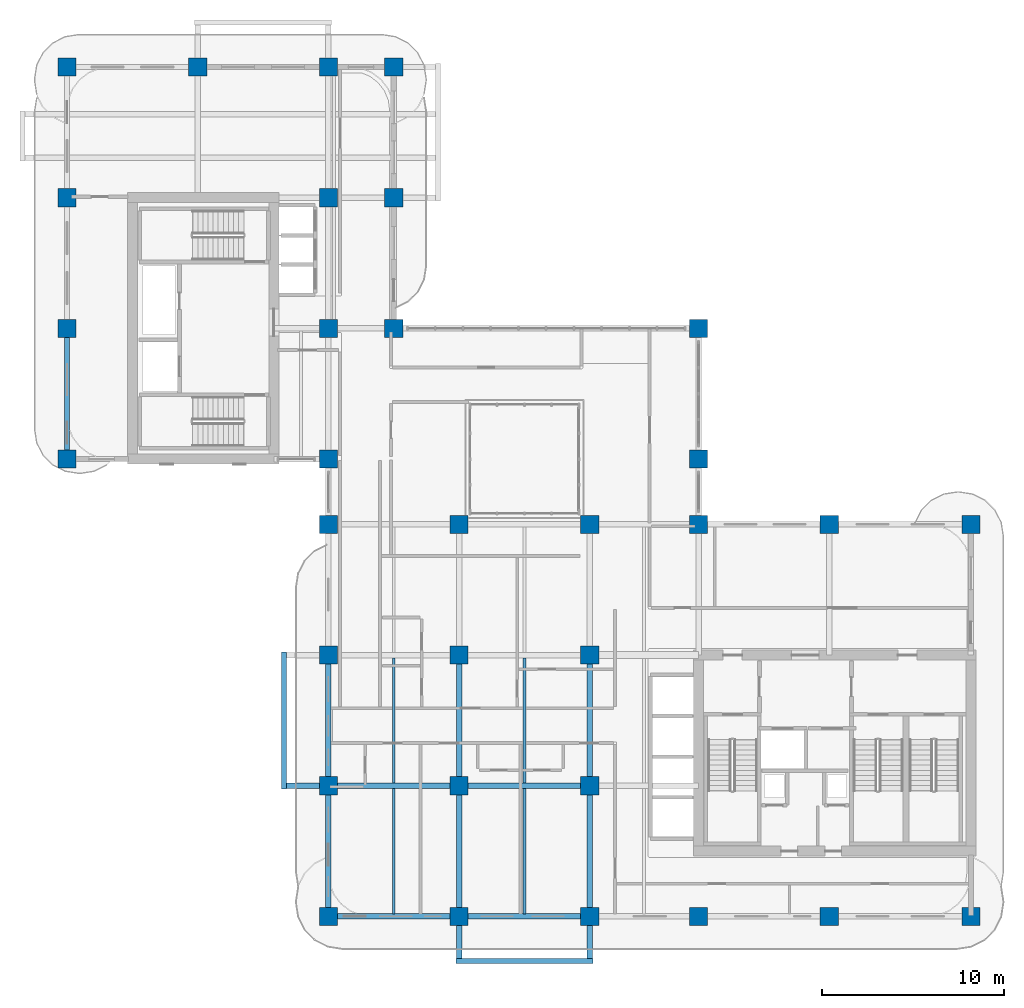
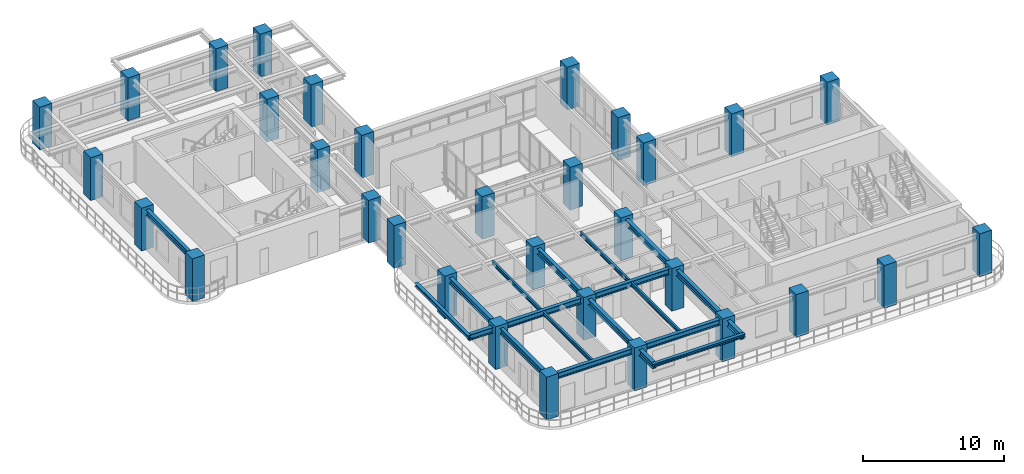
# One storey, part 1 of 19: 32 columns, 17 beams.
"""IFC4 building model written with IfcOpenShell, lengths in metres."""

from ifc_helpers import new_model, si_unit, derived_unit, direction, frame, origin, origin_2d, place, context, subcontext, project, spatial, rectangle, i_section, extrude, source, transform, mapped, material, material_profile, profile_set, type_object, type_shapes, element, save


model = new_model("IFC4")

# Units and contexts
model_context = context("Model", 3, precision=1e-05, world=origin(), true_north=direction((0.0, 1.0)))
body_context = subcontext(model_context, "Body", "Model", "MODEL_VIEW")
ifc_project = project(units=[si_unit("LENGTHUNIT", "METRE"), si_unit("AREAUNIT", "SQUARE_METRE"), si_unit("VOLUMEUNIT", "CUBIC_METRE"), si_unit("PLANEANGLEUNIT", "RADIAN"), si_unit("MASSUNIT", "GRAM", prefix="KILO"), si_unit("THERMODYNAMICTEMPERATUREUNIT", "KELVIN"), si_unit("POWERUNIT", "WATT"), derived_unit("THERMALTRANSMITTANCEUNIT", [(si_unit("POWERUNIT", "WATT"), 1), (si_unit("AREAUNIT", "SQUARE_METRE"), -1), (si_unit("THERMODYNAMICTEMPERATUREUNIT", "KELVIN"), -1)])], contexts=[model_context])

# Site, building, storey
site_placement = place(None, origin())
site = spatial("IfcSite", under=ifc_project, at=site_placement, CompositionType="ELEMENT")
building_placement = place(site_placement, origin())
building = spatial("IfcBuilding", under=site, at=building_placement, Name="Zahravan Archway Hotel and Residences", CompositionType="ELEMENT")
storey_placement = place(building_placement, frame((0.0, 0.0, 134.0)))
storey = spatial("IfcBuildingStorey", under=building, at=storey_placement, Name="L33", CompositionType="ELEMENT", Elevation=134.0)

# Columns
ifc_material_1 = material(Name="Concrete C60/75", Category="concrete")
ifc_material_profile_1 = material_profile(ifc_material_1, rectangle(XDim=1.0, YDim=1.0, at=origin_2d()), Name="RC-COL-1000x1000", Category="concrete")
ifc_profile_set_1 = profile_set([ifc_material_profile_1], Name="Concrete C60/75")
column_type = type_object("IfcColumnType", Name="COL-RC-1000", PredefinedType="COLUMN", material=ifc_profile_set_1)
shared_shape_1 = source(origin(), body_context, "Body", "SweptSolid", [
    extrude(rectangle(XDim=1.0, YDim=1.0, at=origin_2d()), origin(), (0.0, 0.0, 1.0), 3.699951171875),
])
type_shapes(column_type, [shared_shape_1])
for number, where, z_axis, x_axis, name in (
    (1, (0.0, 25.199951171875, 0.0), (0.0, 0.0, 1.0), (1.0, 0.0, 0.0), "L33 Column 1-E"),
    (2, (0.0, 32.39990234375, 0.0), (0.0, 0.0, 1.0), (1.0, 0.0, 0.0), "L33 Column 1-F"),
    (3, (0.0, 39.60009765625, 0.0), (0.0, 0.0, 1.0), (1.0, 0.0, 0.0), "L33 Column 1-G"),
    (4, (0.0, 46.800048828125, 0.0), (0.0, 0.0, 1.0), (1.0, 0.0, 0.0), "L33 Column 1-H"),
    (5, (7.199951171875, 46.800048828125, 0.0), (0.0, 0.0, 1.0), (1.0, 0.0, 0.0), "L33 Column 2-H"),
    (6, (14.39990234375, 0.0, 0.0), (0.0, 0.0, 1.0), (1.0, 0.0, 0.0), "L33 Column 3-A"),
    (7, (14.39990234375, 7.199951171875, 0.0), (0.0, 0.0, 1.0), (1.0, 0.0, 0.0), "L33 Column 3-B"),
    (8, (14.39990234375, 14.39990234375, 0.0), (0.0, 0.0, 1.0), (1.0, 0.0, 0.0), "L33 Column 3-C"),
    (9, (14.39990234375, 21.60009765625, 0.0), (0.0, 0.0, 1.0), (1.0, 0.0, 0.0), "L33 Column 3-D"),
    (10, (14.39990234375, 25.199951171875, 0.0), (0.0, 0.0, 1.0), (1.0, 0.0, 0.0), "L33 Column 3-E"),
    (11, (14.39990234375, 32.39990234375, 0.0), (0.0, 0.0, 1.0), (1.0, 0.0, 0.0), "L33 Column 3-F"),
    (12, (14.39990234375, 39.60009765625, 0.0), (0.0, 0.0, 1.0), (1.0, 0.0, 0.0), "L33 Column 3-G"),
    (13, (14.39990234375, 46.800048828125, 0.0), (0.0, 0.0, 1.0), (1.0, 0.0, 0.0), "L33 Column 3-H"),
    (14, (21.60009765625, 0.0, 0.0), (0.0, 0.0, 1.0), (1.0, 0.0, 0.0), "L33 Column 4-A"),
    (15, (21.60009765625, 7.199951171875, 0.0), (0.0, 0.0, 1.0), (1.0, 0.0, 0.0), "L33 Column 4-B"),
    (16, (21.60009765625, 14.39990234375, 0.0), (0.0, 0.0, 1.0), (1.0, 0.0, 0.0), "L33 Column 4-C"),
    (17, (21.60009765625, 21.60009765625, 0.0), (0.0, 0.0, 1.0), (1.0, 0.0, 0.0), "L33 Column 4-D"),
    (18, (28.800048828125, 0.0, 0.0), (0.0, 0.0, 1.0), (1.0, 0.0, 0.0), "L33 Column 5-A"),
    (19, (28.800048828125, 7.199951171875, 0.0), (0.0, 0.0, 1.0), (1.0, 0.0, 0.0), "L33 Column 5-B"),
    (20, (28.800048828125, 14.39990234375, 0.0), (0.0, 0.0, 1.0), (1.0, 0.0, 0.0), "L33 Column 5-C"),
    (21, (28.800048828125, 21.60009765625, 0.0), (0.0, 0.0, 1.0), (1.0, 0.0, 0.0), "L33 Column 5-D"),
    (22, (34.800048828125, 0.0, 0.0), (0.0, 0.0, 1.0), (1.0, 0.0, 0.0), "L33 Column 6-A"),
    (23, (34.800048828125, 21.60009765625, 0.0), (0.0, 0.0, 1.0), (1.0, 0.0, 0.0), "L33 Column 6-D"),
    (24, (34.800048828125, 25.199951171875, 0.0), (0.0, 0.0, 1.0), (1.0, 0.0, 0.0), "L33 Column 6-E"),
    (25, (34.800048828125, 32.39990234375, 0.0), (0.0, 0.0, 1.0), (1.0, 0.0, 0.0), "L33 Column 6-F"),
    (26, (42.0, 0.0, 0.0), (0.0, 0.0, 1.0), (1.0, 0.0, 0.0), "L33 Column 7-A"),
    (27, (42.0, 21.60009765625, 0.0), (0.0, 0.0, 1.0), (1.0, 0.0, 0.0), "L33 Column 7-D"),
    (28, (49.800048828125, 0.0, 0.0), (0.0, 0.0, 1.0), (1.0, 0.0, 0.0), "L33 Column 8-A"),
    (29, (49.800048828125, 21.60009765625, 0.0), (0.0, 0.0, 1.0), (1.0, 0.0, 0.0), "L33 Column 8-D"),
    (30, (18.0, 32.39990234375, 0.0), (0.0, 0.0, 1.0), (1.0, 0.0, 0.0), "L33 Column 3B-F"),
    (31, (18.0, 39.60009765625, 0.0), (0.0, 0.0, 1.0), (1.0, 0.0, 0.0), "L33 Column 3B-G"),
    (32, (18.0, 46.800048828125, 0.0), (0.0, 0.0, 1.0), (1.0, 0.0, 0.0), "L33 Column 3B-H"),
):
    element("IfcColumn", number, at=place(storey_placement, frame(where, z_axis=z_axis, x_axis=x_axis)), inside=storey, type_object=column_type, Name=name, PredefinedType="COLUMN", context=body_context, shape_type="MappedRepresentation", body=[
        mapped(shared_shape_1, transform((0.0, 0.0, 0.0), scale=1.0)),
    ])

# Beams
ifc_material_2 = material(Name="Structural Steel S355JR", Category="steel")
ifc_material_profile_2 = material_profile(ifc_material_2, i_section(OverallWidth=0.280029296875, OverallDepth=0.280029296875, WebThickness=0.010498046875, FlangeThickness=0.01806640625, FilletRadius=0.02392578125, at=origin_2d()), Name="HEB 280", Category="steel")
ifc_profile_set_2 = profile_set([ifc_material_profile_2], Name="Structural Steel S355JR")
beam_type_1 = type_object("IfcBeamType", Name="BM-SPN-HEB280", PredefinedType="SPANDREL", material=ifc_profile_set_2)
shared_shape_2 = source(origin(), body_context, "Body", "SweptSolid", [
    extrude(i_section(OverallWidth=0.280029296875, OverallDepth=0.280029296875, WebThickness=0.010498046875, FlangeThickness=0.01806640625, FilletRadius=0.02392578125, at=origin_2d()), origin(), (0.0, 0.0, 1.0), 7.56005859375),
])
type_shapes(beam_type_1, [shared_shape_2])
for number, where, z_axis, x_axis, name in (
    (33, (11.949951171875, 7.02001953125, 3.31005859375), (0.0, 1.0, 0.0), (-1.0, 0.0, 0.0), "L34 WA Balcony Edge Spandrel"),
    (34, (21.419921875, -2.449951171875, 3.31005859375), (1.0, 0.0, 0.0), (0.0, 1.0, 0.0), "L34 SA Balcony Edge Spandrel"),
):
    element("IfcBeam", number, at=place(storey_placement, frame(where, z_axis=z_axis, x_axis=x_axis)), inside=storey, type_object=beam_type_1, Name=name, PredefinedType="SPANDREL", context=body_context, shape_type="MappedRepresentation", body=[
        mapped(shared_shape_2, transform((0.0, 0.0, 0.0), scale=1.0)),
    ])
ifc_material_profile_3 = material_profile(ifc_material_2, i_section(OverallWidth=0.300048828125, OverallDepth=0.5, WebThickness=0.014404296875, FlangeThickness=0.028076171875, FilletRadius=0.027099609375, at=origin_2d()), Name="HEB 500", Category="steel")
ifc_profile_set_3 = profile_set([ifc_material_profile_3], Name="Structural Steel S355JR")
beam_type_2 = type_object("IfcBeamType", Name="BM-PRI-HEB500", PredefinedType="BEAM", material=ifc_profile_set_3)
shared_shape_3 = source(origin(), body_context, "Body", "SweptSolid", [
    extrude(i_section(OverallWidth=0.300048828125, OverallDepth=0.5, WebThickness=0.014404296875, FlangeThickness=0.028076171875, FilletRadius=0.027099609375, at=origin_2d()), origin(), (0.0, 0.0, 1.0), 7.2001953125),
])
type_shapes(beam_type_2, [shared_shape_3])
beam_1_placement = place(storey_placement, frame((14.39990234375, 0.0, 3.199951171875), z_axis=(1.0, 0.0, 0.0), x_axis=(0.0, 1.0, 0.0)))
element("IfcBeam", 35, at=beam_1_placement, inside=storey, type_object=beam_type_2, Name="L33 Primary Girder EW-01", PredefinedType="BEAM", context=body_context, shape_type="MappedRepresentation", body=[
    mapped(shared_shape_3, transform((0.0, 0.0, 0.0), scale=1.0)),
])
shared_shape_4 = source(origin(), body_context, "Body", "SweptSolid", [
    extrude(i_section(OverallWidth=0.300048828125, OverallDepth=0.5, WebThickness=0.014404296875, FlangeThickness=0.028076171875, FilletRadius=0.027099609375, at=origin_2d()), origin(), (0.0, 0.0, 1.0), 7.199951171875),
])
for number, where, z_axis, x_axis, name in (
    (36, (21.60009765625, 0.0, 3.199951171875), (1.0, 0.0, 0.0), (0.0, 1.0, 0.0), "L33 Primary Girder EW-02"),
    (37, (21.60009765625, 7.199951171875, 3.199951171875), (1.0, 0.0, 0.0), (0.0, 1.0, 0.0), "L33 Primary Girder EW-07"),
    (38, (0.0, 25.199951171875, 3.199951171875), (0.0, 1.0, 0.0), (-1.0, 0.0, 0.0), "L33 Primary Girder NS-24"),
    (39, (14.39990234375, 0.0, 3.199951171875), (0.0, 1.0, 0.0), (-1.0, 0.0, 0.0), "L33 Primary Girder NS-28"),
    (40, (14.39990234375, 7.199951171875, 3.199951171875), (0.0, 1.0, 0.0), (-1.0, 0.0, 0.0), "L33 Primary Girder NS-29"),
    (41, (21.60009765625, 7.199951171875, 3.199951171875), (0.0, 1.0, 0.0), (-1.0, 0.0, 0.0), "L33 Primary Girder NS-36"),
    (42, (28.800048828125, 7.199951171875, 3.199951171875), (0.0, 1.0, 0.0), (-1.0, 0.0, 0.0), "L33 Primary Girder NS-39"),
):
    element("IfcBeam", number, at=place(storey_placement, frame(where, z_axis=z_axis, x_axis=x_axis)), inside=storey, type_object=beam_type_2, Name=name, PredefinedType="BEAM", context=body_context, shape_type="MappedRepresentation", body=[
        mapped(shared_shape_4, transform((0.0, 0.0, 0.0), scale=1.0)),
    ])
shared_shape_5 = source(origin(), body_context, "Body", "SweptSolid", [
    extrude(i_section(OverallWidth=0.300048828125, OverallDepth=0.5, WebThickness=0.014404296875, FlangeThickness=0.028076171875, FilletRadius=0.027099609375, at=origin_2d()), origin(), (0.0, 0.0, 1.0), 9.650146484375),
])
beam_2_placement = place(storey_placement, frame((11.949951171875, 7.199951171875, 3.199951171875), z_axis=(1.0, 0.0, 0.0), x_axis=(0.0, 1.0, 0.0)))
element("IfcBeam", 43, at=beam_2_placement, inside=storey, type_object=beam_type_2, Name="L33 Primary Girder EW-06", PredefinedType="BEAM", context=body_context, shape_type="MappedRepresentation", body=[
    mapped(shared_shape_5, transform((0.0, 0.0, 0.0), scale=1.0)),
])
shared_shape_6 = source(origin(), body_context, "Body", "SweptSolid", [
    extrude(i_section(OverallWidth=0.300048828125, OverallDepth=0.5, WebThickness=0.014404296875, FlangeThickness=0.028076171875, FilletRadius=0.027099609375, at=origin_2d()), origin(), (0.0, 0.0, 1.0), 9.64990234375),
])
for number, where, z_axis, x_axis, name in (
    (44, (21.60009765625, -2.449951171875, 3.199951171875), (0.0, 1.0, 0.0), (-1.0, 0.0, 0.0), "L33 Primary Girder NS-35"),
    (45, (28.800048828125, -2.449951171875, 3.199951171875), (0.0, 1.0, 0.0), (-1.0, 0.0, 0.0), "L33 Primary Girder NS-38"),
):
    element("IfcBeam", number, at=place(storey_placement, frame(where, z_axis=z_axis, x_axis=x_axis)), inside=storey, type_object=beam_type_2, Name=name, PredefinedType="BEAM", context=body_context, shape_type="MappedRepresentation", body=[
        mapped(shared_shape_6, transform((0.0, 0.0, 0.0), scale=1.0)),
    ])
ifc_material_profile_4 = material_profile(ifc_material_2, i_section(OverallWidth=0.159912109375, OverallDepth=0.330078125, WebThickness=0.007568359375, FlangeThickness=0.011474609375, FilletRadius=0.01806640625, at=origin_2d()), Name="IPE 330", Category="steel")
ifc_profile_set_4 = profile_set([ifc_material_profile_4], Name="Structural Steel S355JR")
beam_type_3 = type_object("IfcBeamType", Name="BM-JST-IPE330", PredefinedType="JOIST", material=ifc_profile_set_4)
shared_shape_7 = source(origin(), body_context, "Body", "SweptSolid", [
    extrude(i_section(OverallWidth=0.159912109375, OverallDepth=0.330078125, WebThickness=0.007568359375, FlangeThickness=0.011474609375, FilletRadius=0.01806640625, at=origin_2d()), origin(), (0.0, 0.0, 1.0), 6.904052734375),
])
type_shapes(beam_type_3, [shared_shape_7])
for number, where, z_axis, x_axis, name in (
    (46, (18.0, 0.14794921875, 3.284912109375), (0.0, 1.0, 0.0), (-1.0, 0.0, 0.0), "L33 Composite Floor Joist 01"),
    (47, (25.199951171875, 0.14794921875, 3.284912109375), (0.0, 1.0, 0.0), (-1.0, 0.0, 0.0), "L33 Composite Floor Joist 02"),
    (48, (18.0, 7.347900390625, 3.284912109375), (0.0, 1.0, 0.0), (-1.0, 0.0, 0.0), "L33 Composite Floor Joist 04"),
    (49, (25.199951171875, 7.347900390625, 3.284912109375), (0.0, 1.0, 0.0), (-1.0, 0.0, 0.0), "L33 Composite Floor Joist 05"),
):
    element("IfcBeam", number, at=place(storey_placement, frame(where, z_axis=z_axis, x_axis=x_axis)), inside=storey, type_object=beam_type_3, Name=name, PredefinedType="JOIST", context=body_context, shape_type="MappedRepresentation", body=[
        mapped(shared_shape_7, transform((0.0, 0.0, 0.0), scale=1.0)),
    ])

save(model, "model.ifc")
